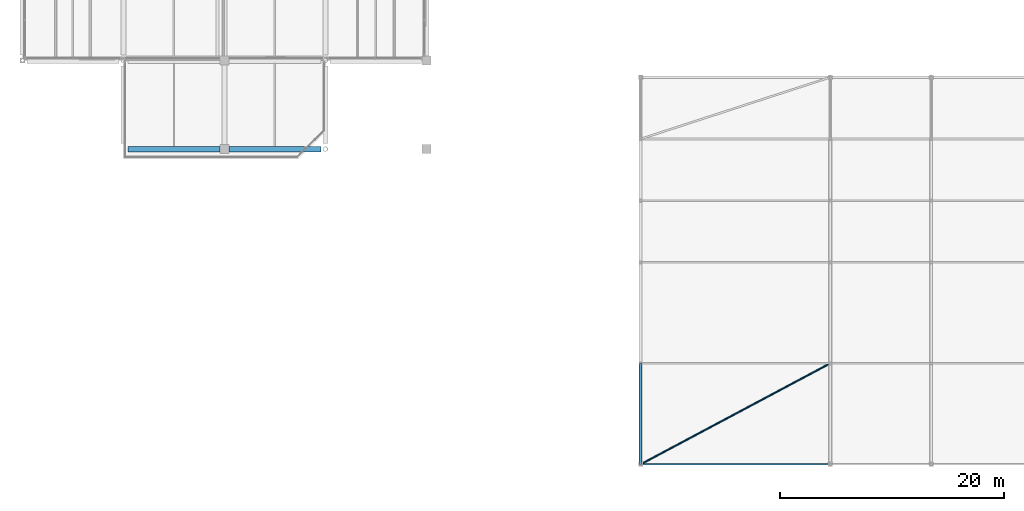
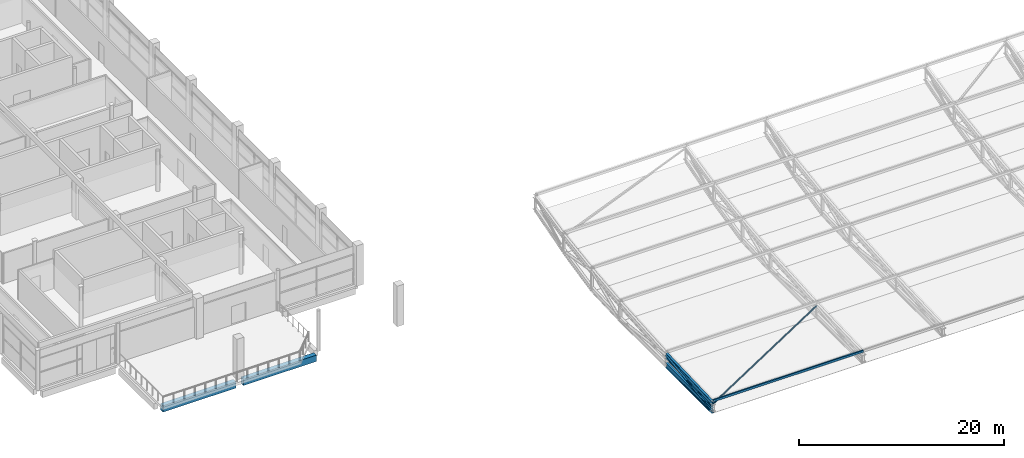
# One storey, part 5 of 114: 4 beams, 3 members.
"""IFC4 building model written with IfcOpenShell, lengths in metres."""

from ifc_helpers import new_model, si_unit, direction, frame, origin, origin_2d, place, context, subcontext, project, spatial, rectangle, hollow_rectangle, hollow_circle, i_section, extrude, material, material_profile, profile_set, type_object, element, save


model = new_model("IFC4")

# Units and contexts
model_context = context("Model", 3, precision=1e-05, world=origin(), true_north=direction((0.0, 1.0)))
body_context = subcontext(model_context, "Body", "Model", "MODEL_VIEW")
ifc_project = project(units=[si_unit("LENGTHUNIT", "METRE"), si_unit("AREAUNIT", "SQUARE_METRE"), si_unit("VOLUMEUNIT", "CUBIC_METRE"), si_unit("PLANEANGLEUNIT", "RADIAN"), si_unit("MASSUNIT", "GRAM", prefix="KILO"), si_unit("THERMODYNAMICTEMPERATUREUNIT", "KELVIN"), si_unit("POWERUNIT", "WATT")], contexts=[model_context])

# Site, building, storey
site_placement = place(None, origin())
site = spatial("IfcSite", under=ifc_project, at=site_placement, CompositionType="ELEMENT")
building_placement = place(site_placement, origin())
building = spatial("IfcBuilding", under=site, at=building_placement, Name="Sindhuravela Promenade Stadium", CompositionType="ELEMENT")
storey_placement = place(building_placement, frame((0.0, 0.0, 24.0)))
storey = spatial("IfcBuildingStorey", under=building, at=storey_placement, Name="L05", CompositionType="ELEMENT", Elevation=24.0)

# Beams
ifc_material_1 = material(Name="Concrete M40", Category="concrete")
ifc_material_profile_1 = material_profile(ifc_material_1, rectangle(XDim=0.5, YDim=0.75, at=origin_2d()), Name="RC 500x750")
ifc_profile_set_1 = profile_set([ifc_material_profile_1], Name="Concrete M40")
beam_type_1 = type_object("IfcBeamType", Name="RC-BM-500x750", PredefinedType="BEAM", material=ifc_profile_set_1)
for number, where, z_axis, x_axis, name in (
    (1, (9.389892578125, 37.10009765625, -0.68505859375), (1.0, 0.0, 0.0), (0.0, 1.0, 0.0), "Primary girder GB06 WEST L05"),
    (2, (18.4150390625, 37.10009765625, -0.68505859375), (1.0, 0.0, 0.0), (0.0, 1.0, 0.0), "Primary girder GB06 WEST L05"),
):
    element("IfcBeam", number, at=place(storey_placement, frame(where, z_axis=z_axis, x_axis=x_axis)), inside=storey, type_object=beam_type_1, Name=name, PredefinedType="BEAM", context=body_context, shape_type="SweptSolid", body=[
        extrude(rectangle(XDim=0.5, YDim=0.75, at=origin_2d()), origin(), (0.0, 0.0, 1.0), 8.195068359375),
    ])
ifc_material_2 = material(Name="Steel E350 (IS 2062 E350BR)", Category="steel")
ifc_material_profile_2 = material_profile(ifc_material_2, i_section(OverallWidth=0.25, OverallDepth=0.60009765625, WebThickness=0.01171875, FlangeThickness=0.023681640625, FilletRadius=0.01708984375, at=origin_2d()), Name="ISWB 600")
ifc_profile_set_2 = profile_set([ifc_material_profile_2], Name="Steel E350 (IS 2062 E350BR)")
beam_type_2 = type_object("IfcBeamType", Name="ST-BM-WB600", PredefinedType="USERDEFINED", material=ifc_profile_set_2)
beam_1_placement = place(storey_placement, frame((55.10009765625, 9.0, 0.800048828125), z_axis=(0.0, 0.9993399990381225, 0.03632583546850814), x_axis=(-1.0, 0.0, 0.0)))
element("IfcBeam", 3, at=beam_1_placement, inside=storey, type_object=beam_type_2, Name="Roof truss RT-S01 top chord 1", ObjectType="ROOF TRUSS", PredefinedType="USERDEFINED", context=body_context, shape_type="SweptSolid", body=[
    extrude(i_section(OverallWidth=0.25, OverallDepth=0.60009765625, WebThickness=0.01171875, FlangeThickness=0.023681640625, FilletRadius=0.01708984375, at=origin_2d()), origin(), (0.0, 0.0, 1.0), 9.005859375),
])
beam_2_placement = place(storey_placement, frame((55.10009765625, 9.0, 0.0), z_axis=(0.0, 1.0, 0.0), x_axis=(-1.0, 0.0, 0.0)))
element("IfcBeam", 4, at=beam_2_placement, inside=storey, type_object=beam_type_2, Name="Roof truss RT-S01 bottom chord 1", ObjectType="ROOF TRUSS", PredefinedType="USERDEFINED", context=body_context, shape_type="SweptSolid", body=[
    extrude(i_section(OverallWidth=0.25, OverallDepth=0.60009765625, WebThickness=0.01171875, FlangeThickness=0.023681640625, FilletRadius=0.01708984375, at=origin_2d()), origin(), (0.0, 0.0, 1.0), 9.0),
])

# Members
ifc_material_profile_3 = material_profile(ifc_material_2, hollow_circle(Radius=0.084228515625, WallThickness=0.008056640625, at=origin_2d()), Name="CHS 168.3x8")
ifc_profile_set_3 = profile_set([ifc_material_profile_3], Name="Steel E350 (IS 2062 E350BR)")
member_type_1 = type_object("IfcMemberType", Name="ST-MB-CHS168", PredefinedType="BRACE", material=ifc_profile_set_3)
member_1_placement = place(storey_placement, frame((55.10009765625, 9.0, 0.800048828125), z_axis=(0.8825119859904523, 0.46997951303851426, 0.017083673705284536), x_axis=(-0.47004811026268134, 0.882640795589283, 0.0)))
element("IfcMember", 5, at=member_1_placement, inside=storey, type_object=member_type_1, Name="Roof wind brace MB03 S bay 1", PredefinedType="BRACE", context=body_context, shape_type="SweptSolid", body=[
    extrude(hollow_circle(Radius=0.084228515625, WallThickness=0.008056640625, at=origin_2d()), origin(), (0.0, 0.0, 1.0), 19.149658203125),
])
ifc_material_profile_4 = material_profile(ifc_material_2, hollow_circle(Radius=0.136474609375, WallThickness=0.010009765625, at=origin_2d()), Name="CHS 273.0x10")
ifc_profile_set_4 = profile_set([ifc_material_profile_4], Name="Steel E350 (IS 2062 E350BR)")
member_type_2 = type_object("IfcMemberType", Name="ST-MB-CHS273", PredefinedType="BRACE", material=ifc_profile_set_4)
member_2_placement = place(storey_placement, frame((55.10009765625, 9.0, 0.0), z_axis=(0.0, 0.9922480329009012, 0.12427325216752011), x_axis=(-1.0, 0.0, 0.0)))
element("IfcMember", 6, at=member_2_placement, inside=storey, type_object=member_type_2, Name="Roof truss RT-S01 diagonal web 1", PredefinedType="BRACE", context=body_context, shape_type="SweptSolid", body=[
    extrude(hollow_circle(Radius=0.136474609375, WallThickness=0.010009765625, at=origin_2d()), origin(), (0.0, 0.0, 1.0), 9.0703125),
])
ifc_material_profile_5 = material_profile(ifc_material_2, hollow_rectangle(XDim=0.14990234375, YDim=0.25, WallThickness=0.010009765625, at=origin_2d()), Name="RHS 250x150x10")
ifc_profile_set_5 = profile_set([ifc_material_profile_5], Name="Steel E350 (IS 2062 E350BR)")
member_type_3 = type_object("IfcMemberType", Name="ST-MB-RHS250", PredefinedType="PURLIN", material=ifc_profile_set_5)
member_3_placement = place(storey_placement, frame((55.10009765625, 9.0, 1.19189453125), z_axis=(1.0, 0.0, 0.0), x_axis=(0.0, 1.0, 0.0)))
element("IfcMember", 7, at=member_3_placement, inside=storey, type_object=member_type_3, Name="Roof purlin PR01 S bay 1.1", PredefinedType="PURLIN", context=body_context, shape_type="SweptSolid", body=[
    extrude(hollow_rectangle(XDim=0.14990234375, YDim=0.25, WallThickness=0.010009765625, at=origin_2d()), origin(), (0.0, 0.0, 1.0), 16.89990234375),
])

save(model, "model.ifc")
